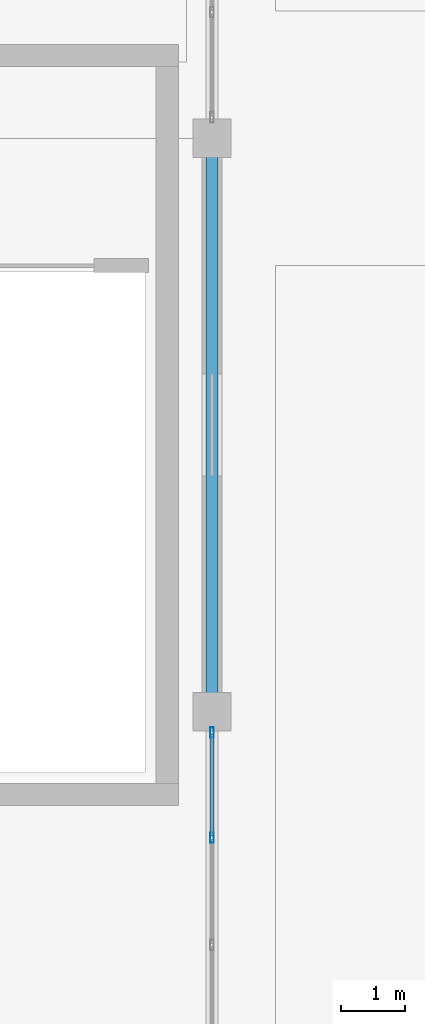
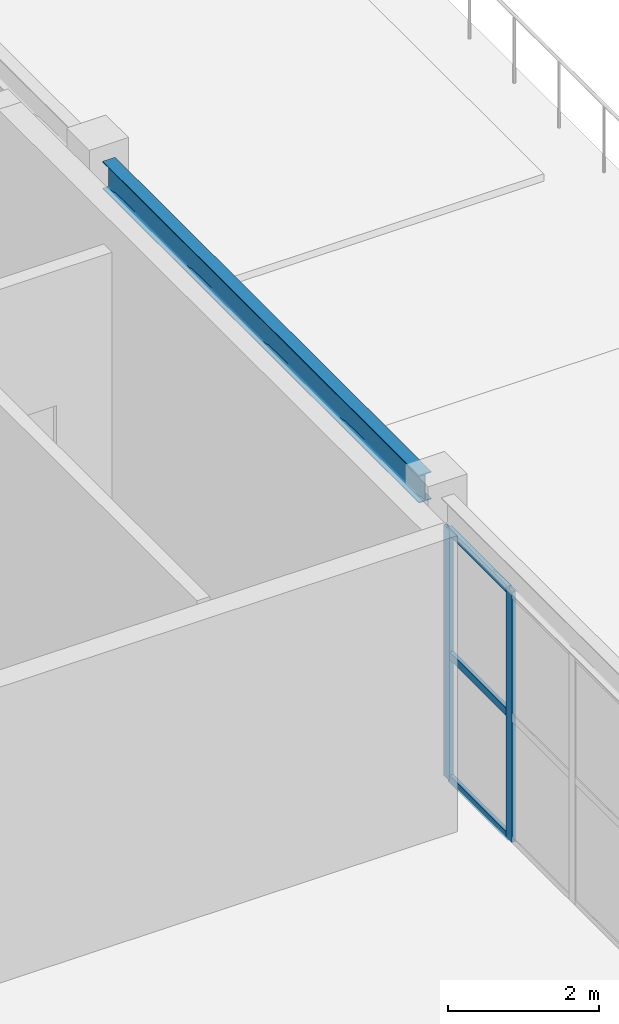
# One storey, part 86 of 167: 5 members, 1 beam, 1 element without a shape of its own.
"""IFC4 building model written with IfcOpenShell, lengths in metres."""

from ifc_helpers import new_model, si_unit, direction, frame, origin, origin_2d, place, context, subcontext, project, spatial, hollow_rectangle, i_section, extrude, material, layer, layer_set, material_profile, profile_set, type_object, element, aggregate, save


model = new_model("IFC4")

# Units and contexts
model_context = context("Model", 3, precision=1e-05, world=origin(), true_north=direction((0.0, 1.0)))
body_context = subcontext(model_context, "Body", "Model", "MODEL_VIEW")
ifc_project = project(units=[si_unit("LENGTHUNIT", "METRE"), si_unit("AREAUNIT", "SQUARE_METRE"), si_unit("VOLUMEUNIT", "CUBIC_METRE"), si_unit("PLANEANGLEUNIT", "RADIAN"), si_unit("MASSUNIT", "GRAM", prefix="KILO")], contexts=[model_context])

# Site, building, storey
site_placement = place(None, origin())
site = spatial("IfcSite", under=ifc_project, at=site_placement, CompositionType="ELEMENT")
building_placement = place(site_placement, origin())
building = spatial("IfcBuilding", under=site, at=building_placement, Name="Dornveld Trade and Exhibition Forum", CompositionType="ELEMENT")
storey_placement = place(building_placement, frame((0.0, 0.0, 16.800048828125)))
storey = spatial("IfcBuildingStorey", under=building, at=storey_placement, Name="L03", CompositionType="ELEMENT", Elevation=16.800048828125)

# Beam
ifc_material_1 = material(Name="Steel S355J2", Category="steel")
ifc_material_profile_1 = material_profile(ifc_material_1, i_section(OverallWidth=0.18994140625, OverallDepth=0.449951171875, WebThickness=0.009521484375, FlangeThickness=0.0146484375, FilletRadius=0.02099609375, at=origin_2d()), Name="IPE 450")
ifc_profile_set_1 = profile_set([ifc_material_profile_1], Name="Steel S355J2")
beam_type = type_object("IfcBeamType", Name="BM-SEC-450", PredefinedType="BEAM", material=ifc_profile_set_1)
beam_placement = place(storey_placement, frame((216.0, 18.2958984375, 4.324951171875), z_axis=(0.0, 1.0, 0.0), x_axis=(-1.0, 0.0, 0.0)))
element("IfcBeam", 1, at=beam_placement, inside=storey, type_object=beam_type, Name="L03 Y-girder 1631", PredefinedType="BEAM", context=body_context, shape_type="SweptSolid", body=[
    extrude(i_section(OverallWidth=0.18994140625, OverallDepth=0.449951171875, WebThickness=0.009521484375, FlangeThickness=0.0146484375, FilletRadius=0.02099609375, at=origin_2d()), origin(), (0.0, 0.0, 1.0), 8.408203125),
])

# Curtain wall, members
ifc_material_2 = material(Name="Dark-bronze anodised aluminium and low-E glass", Category="aluminium")
ifc_layer = layer(ifc_material_2, 0.1689453125)
ifc_layer_set = layer_set([ifc_layer], Name="Dark-bronze anodised aluminium and low-E glass")
curtain_wall_type = type_object("IfcCurtainWallType", Name="CW-SYS-09", PredefinedType="USERDEFINED", material=ifc_layer_set)
curtain_wall_placement = place(storey_placement, origin())
curtain_wall = element("IfcCurtainWall", 2, at=curtain_wall_placement, inside=storey, type_object=curtain_wall_type, Name="L03 unitised curtain wall 81", ObjectType="UNITISED_CURTAIN_WALL", PredefinedType="USERDEFINED")
ifc_material_3 = material(Name="Dark-bronze anodised aluminium", Category="aluminium")
ifc_material_profile_2 = material_profile(ifc_material_3, hollow_rectangle(XDim=0.06005859375, YDim=0.159912109375, WallThickness=0.00390625, at=origin_2d()), Name="RHS 160x60x4")
ifc_profile_set_2 = profile_set([ifc_material_profile_2], Name="Dark-bronze anodised aluminium")
member_type_1 = type_object("IfcMemberType", Name="CW-MUL-160", PredefinedType="MULLION", material=ifc_profile_set_2)
member_1_placement = place(storey_placement, frame((216.0, 16.0224609375, -0.004150390625), z_axis=(0.0, 0.0, 1.0), x_axis=(-1.0, 0.0, 0.0)))
member_1 = element("IfcMember", 3, at=member_1_placement, type_object=member_type_1, Name="CW-09 mullion 5", PredefinedType="MULLION", context=body_context, shape_type="SweptSolid", body=[
    extrude(hollow_rectangle(XDim=0.06005859375, YDim=0.159912109375, WallThickness=0.00390625, at=origin_2d()), origin(), (0.0, 0.0, 1.0), 4.064208984375),
])
member_2_placement = place(storey_placement, frame((216.0, 17.674072265625, -0.004150390625), z_axis=(0.0, 0.0, 1.0), x_axis=(-1.0, 0.0, 0.0)))
member_2 = element("IfcMember", 4, at=member_2_placement, type_object=member_type_1, Name="CW-09 mullion 6", PredefinedType="MULLION", context=body_context, shape_type="SweptSolid", body=[
    extrude(hollow_rectangle(XDim=0.06005859375, YDim=0.159912109375, WallThickness=0.00390625, at=origin_2d()), origin(), (0.0, 0.0, 1.0), 4.064208984375),
])
ifc_material_4 = material(Name="Dark-bronze anodised aluminium", Category="aluminium")
ifc_material_profile_3 = material_profile(ifc_material_4, hollow_rectangle(XDim=0.06005859375, YDim=0.1201171875, WallThickness=0.00390625, at=origin_2d()), Name="RHS 120x60x4")
ifc_profile_set_3 = profile_set([ifc_material_profile_3], Name="Dark-bronze anodised aluminium")
member_type_2 = type_object("IfcMemberType", Name="CW-TRN-120", PredefinedType="USERDEFINED", material=ifc_profile_set_3)
member_3_placement = place(storey_placement, frame((216.0, 16.052490234375, 0.02587890625), z_axis=(0.0, 1.0, 0.0), x_axis=(-1.0, 0.0, 0.0)))
member_3 = element("IfcMember", 5, at=member_3_placement, type_object=member_type_2, Name="CW-09 transom 5.1", ObjectType="TRANSOM", PredefinedType="USERDEFINED", context=body_context, shape_type="SweptSolid", body=[
    extrude(hollow_rectangle(XDim=0.06005859375, YDim=0.1201171875, WallThickness=0.00390625, at=origin_2d()), origin(), (0.0, 0.0, 1.0), 1.591552734375),
])
member_4_placement = place(storey_placement, frame((216.0, 16.052490234375, 2.02783203125), z_axis=(0.0, 1.0, 0.0), x_axis=(-1.0, 0.0, 0.0)))
member_4 = element("IfcMember", 6, at=member_4_placement, type_object=member_type_2, Name="CW-09 transom 5.2", ObjectType="TRANSOM", PredefinedType="USERDEFINED", context=body_context, shape_type="SweptSolid", body=[
    extrude(hollow_rectangle(XDim=0.06005859375, YDim=0.1201171875, WallThickness=0.00390625, at=origin_2d()), origin(), (0.0, 0.0, 1.0), 1.591552734375),
])
member_5_placement = place(storey_placement, frame((216.0, 16.052490234375, 4.030029296875), z_axis=(0.0, 1.0, 0.0), x_axis=(-1.0, 0.0, 0.0)))
member_5 = element("IfcMember", 7, at=member_5_placement, type_object=member_type_2, Name="CW-09 transom 5.3", ObjectType="TRANSOM", PredefinedType="USERDEFINED", context=body_context, shape_type="SweptSolid", body=[
    extrude(hollow_rectangle(XDim=0.06005859375, YDim=0.1201171875, WallThickness=0.00390625, at=origin_2d()), origin(), (0.0, 0.0, 1.0), 1.591552734375),
])
aggregate(curtain_wall, [member_1, member_2, member_3, member_4, member_5])

save(model, "model.ifc")
